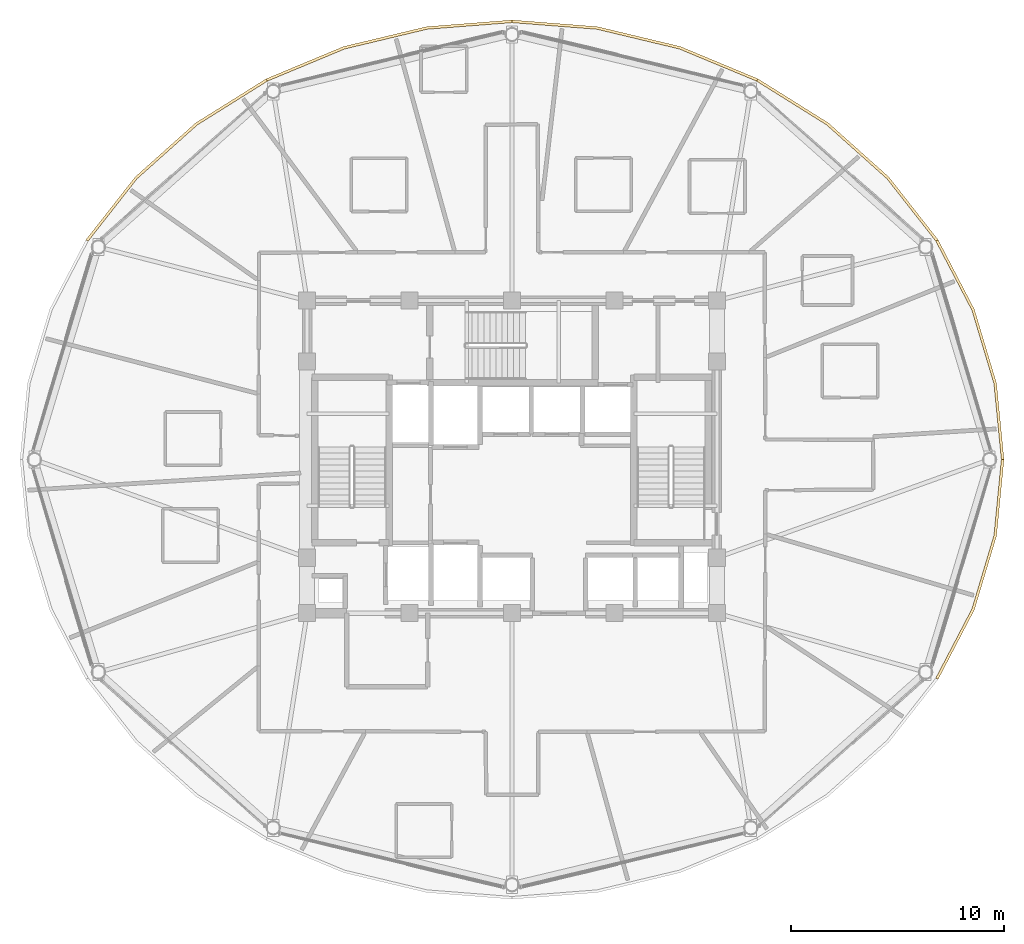
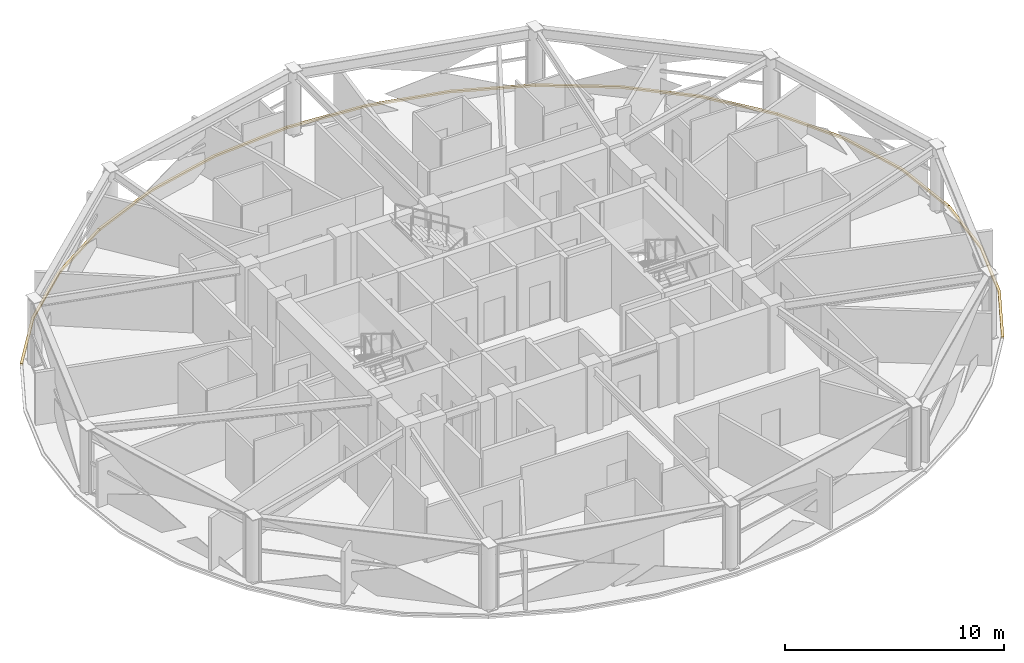
# One storey, part 30 of 30: 6 coverings.
"""IFC4 building model written with IfcOpenShell, lengths in metres."""

from ifc_helpers import new_model, si_unit, direction, frame, origin, place, context, subcontext, project, spatial, polyline, outline, extrude, material, layer, layer_set, type_object, element, save


model = new_model("IFC4")

# Units and contexts
model_context = context("Model", 3, precision=1e-05, world=origin(), true_north=direction((0.0, 1.0)))
body_context = subcontext(model_context, "Body", "Model", "MODEL_VIEW")
ifc_project = project(units=[si_unit("LENGTHUNIT", "METRE"), si_unit("AREAUNIT", "SQUARE_METRE"), si_unit("VOLUMEUNIT", "CUBIC_METRE"), si_unit("PLANEANGLEUNIT", "RADIAN"), si_unit("MASSUNIT", "GRAM", prefix="KILO")], contexts=[model_context])

# Site, building, storey
site_placement = place(None, origin())
site = spatial("IfcSite", under=ifc_project, at=site_placement, CompositionType="ELEMENT")
building_placement = place(site_placement, origin())
building = spatial("IfcBuilding", under=site, at=building_placement, Name="Vantalir Tower", CompositionType="ELEMENT")
storey_placement = place(building_placement, frame((0.0, 0.0, 201.14990234375)))
storey = spatial("IfcBuildingStorey", under=building, at=storey_placement, Name="L50", CompositionType="ELEMENT", Elevation=201.14990234375)

# Coverings
ifc_material = material(Name="Anodised champagne aluminium sill fascia", Category="aluminium")
ifc_layer = layer(ifc_material, 0.125)
ifc_layer_set = layer_set([ifc_layer], Name="Anodised champagne aluminium sill fascia")
covering_type = type_object("IfcCoveringType", Name="COV-SLAB-FASCIA-125", PredefinedType="CLADDING", material=ifc_layer_set)
covering_1_placement = place(storey_placement, frame((0.0, 0.0, -0.179931640625)))
element("IfcCovering", 1, at=covering_1_placement, inside=storey, type_object=covering_type, Name="L50 Perimeter Slab-Edge Sill Fascia 01", PredefinedType="CLADDING", context=body_context, shape_type="SweptSolid", body=[
    extrude(outline(polyline([(54.556884765625, 25.0), (54.20703125, 28.576904296875), (53.166015625, 32.0458984375), (51.468017578125, 35.300048828125), (51.360107421875, 35.237060546875), (53.049072265625, 32.0029296875), (54.083984375, 28.554931640625), (54.431884765625, 25.0), (54.556884765625, 25.0)])), origin(), (0.0, 0.0, 1.0), 0.10498046875),
])
covering_2_placement = place(storey_placement, frame((0.0, 0.0, -0.179931640625)))
element("IfcCovering", 2, at=covering_2_placement, inside=storey, type_object=covering_type, Name="L50 Perimeter Slab-Edge Sill Fascia 02", PredefinedType="CLADDING", context=body_context, shape_type="SweptSolid", body=[
    extrude(outline(polyline([(51.468017578125, 35.300048828125), (49.1630859375, 38.240966796875), (46.321044921875, 40.781005859375), (43.029052734375, 42.840087890625), (42.966064453125, 42.73193359375), (46.239990234375, 40.68505859375), (49.06689453125, 38.160888671875), (51.360107421875, 35.237060546875), (51.468017578125, 35.300048828125)])), origin(), (0.0, 0.0, 1.0), 0.10498046875),
])
covering_3_placement = place(storey_placement, frame((0.0, 0.0, -0.179931640625)))
element("IfcCovering", 3, at=covering_3_placement, inside=storey, type_object=covering_type, Name="L50 Perimeter Slab-Edge Sill Fascia 03", PredefinedType="CLADDING", context=body_context, shape_type="SweptSolid", body=[
    extrude(outline(polyline([(43.029052734375, 42.840087890625), (39.385986328125, 44.35791015625), (35.50390625, 45.287109375), (31.5, 45.60009765625), (31.5, 45.47509765625), (35.48193359375, 45.1640625), (39.343017578125, 44.239990234375), (42.966064453125, 42.73193359375), (43.029052734375, 42.840087890625)])), origin(), (0.0, 0.0, 1.0), 0.10498046875),
])
covering_4_placement = place(storey_placement, frame((0.0, 0.0, -0.179931640625)))
element("IfcCovering", 4, at=covering_4_placement, inside=storey, type_object=covering_type, Name="L50 Perimeter Slab-Edge Sill Fascia 04", PredefinedType="CLADDING", context=body_context, shape_type="SweptSolid", body=[
    extrude(outline(polyline([(31.5, 45.60009765625), (27.49609375, 45.287109375), (23.614013671875, 44.35791015625), (19.971923828125, 42.840087890625), (20.033935546875, 42.73193359375), (23.656982421875, 44.239990234375), (27.51806640625, 45.1640625), (31.5, 45.47509765625), (31.5, 45.60009765625)])), origin(), (0.0, 0.0, 1.0), 0.10498046875),
])
covering_5_placement = place(storey_placement, frame((0.0, 0.0, -0.179931640625)))
element("IfcCovering", 5, at=covering_5_placement, inside=storey, type_object=covering_type, Name="L50 Perimeter Slab-Edge Sill Fascia 05", PredefinedType="CLADDING", context=body_context, shape_type="SweptSolid", body=[
    extrude(outline(polyline([(19.971923828125, 42.840087890625), (16.678955078125, 40.781005859375), (13.8369140625, 38.240966796875), (11.531982421875, 35.300048828125), (11.639892578125, 35.237060546875), (13.93310546875, 38.160888671875), (16.760009765625, 40.68505859375), (20.033935546875, 42.73193359375), (19.971923828125, 42.840087890625)])), origin(), (0.0, 0.0, 1.0), 0.10498046875),
])
covering_6_placement = place(storey_placement, frame((0.0, 0.0, -0.179931640625)))
element("IfcCovering", 6, at=covering_6_placement, inside=storey, type_object=covering_type, Name="L50 Perimeter Slab-Edge Sill Fascia 12", PredefinedType="CLADDING", context=body_context, shape_type="SweptSolid", body=[
    extrude(outline(polyline([(51.468017578125, 14.699951171875), (53.166015625, 17.9541015625), (54.20703125, 21.423095703125), (54.556884765625, 25.0), (54.431884765625, 25.0), (54.083984375, 21.445068359375), (53.049072265625, 17.9970703125), (51.360107421875, 14.761962890625), (51.468017578125, 14.699951171875)])), origin(), (0.0, 0.0, 1.0), 0.10498046875),
])

save(model, "model.ifc")
